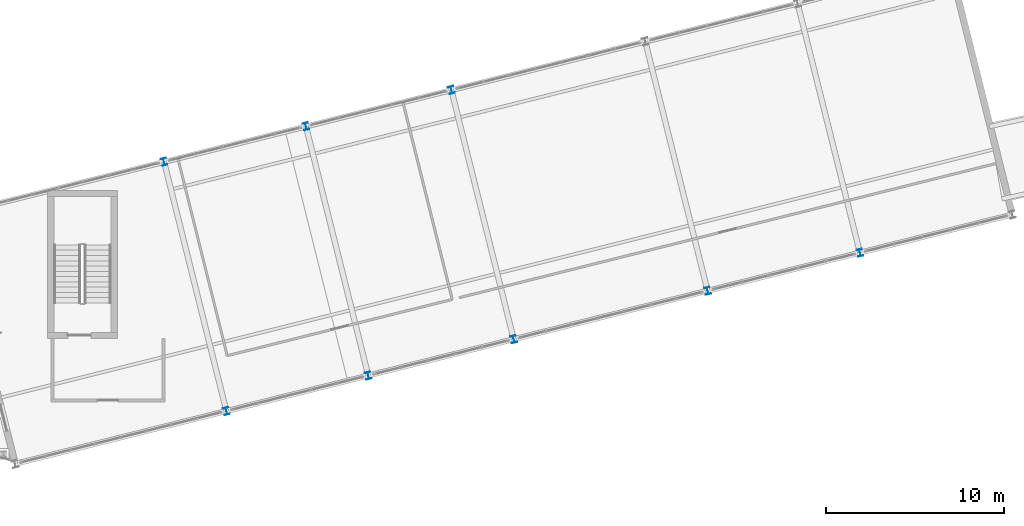
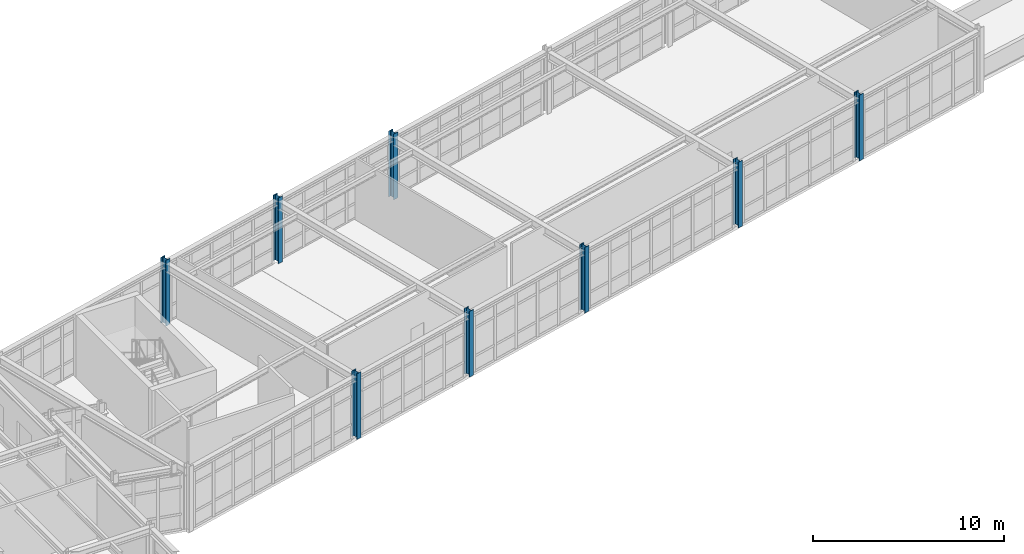
# One storey, part 2 of 76: 8 columns.
"""IFC4 building model written with IfcOpenShell, lengths in metres."""

from ifc_helpers import new_model, si_unit, direction, frame, origin, origin_2d, place, context, subcontext, project, spatial, i_section, extrude, material, material_profile, profile_set, type_object, element, save


model = new_model("IFC4")

# Units and contexts
model_context = context("Model", 3, precision=1e-05, world=origin(), true_north=direction((0.0, 1.0)))
body_context = subcontext(model_context, "Body", "Model", "MODEL_VIEW")
ifc_project = project(units=[si_unit("LENGTHUNIT", "METRE"), si_unit("AREAUNIT", "SQUARE_METRE"), si_unit("VOLUMEUNIT", "CUBIC_METRE"), si_unit("PLANEANGLEUNIT", "RADIAN"), si_unit("MASSUNIT", "GRAM", prefix="KILO")], contexts=[model_context])

# Site, building, storey
site_placement = place(None, origin())
site = spatial("IfcSite", under=ifc_project, at=site_placement, CompositionType="ELEMENT")
building_placement = place(site_placement, origin())
building = spatial("IfcBuilding", under=site, at=building_placement, Name="Nordkorset Police Headquarters", CompositionType="ELEMENT")
storey_placement = place(building_placement, frame((0.0, 0.0, 13.64990234375)))
storey = spatial("IfcBuildingStorey", under=building, at=storey_placement, Name="L03", CompositionType="ELEMENT", Elevation=13.64990234375)

# Columns
ifc_material = material(Name="Steel S355J2", Category="steel")
ifc_material_profile = material_profile(ifc_material, i_section(OverallWidth=0.300048828125, OverallDepth=0.39990234375, WebThickness=0.013427734375, FlangeThickness=0.02392578125, FilletRadius=0.027099609375, at=origin_2d()), Name="HEB 400")
ifc_profile_set = profile_set([ifc_material_profile], Name="Steel S355J2")
column_type = type_object("IfcColumnType", Name="Col_HEB_400", PredefinedType="COLUMN", material=ifc_profile_set)
for number, where, z_axis, x_axis, name in (
    (1, (35.435791015625, 44.958984375, 0.0), (0.0, 0.0, 1.0), (0.970142500145, 0.242535625038, 0.0), "Structural Column V4_U1_V0 L03"),
    (2, (31.943115234375, 58.928955078125, 0.0), (0.0, 0.0, 1.0), (0.970142500145, 0.242535625038, 0.0), "Structural Column V4_U1_V1 L03"),
    (3, (43.390869140625, 46.94775390625, 0.0), (0.0, 0.0, 1.0), (0.970142500145, 0.242535625038, 0.0), "Structural Column V4_U2_V0 L03"),
    (4, (39.8984375, 60.917724609375, 0.0), (0.0, 0.0, 1.0), (0.970142500145, 0.242535625038, 0.0), "Structural Column V4_U2_V1 L03"),
    (5, (51.5400390625, 48.985107421875, 0.0), (0.0, 0.0, 1.0), (0.970142500145, 0.242535625038, 0.0), "Structural Column V4_U3_V0 L03"),
    (6, (48.047607421875, 62.955078125, 0.0), (0.0, 0.0, 1.0), (0.970142500145, 0.242535625038, 0.0), "Structural Column V4_U3_V1 L03"),
    (7, (62.40576171875, 51.701416015625, 0.0), (0.0, 0.0, 1.0), (0.970142500145, 0.242535625038, 0.0), "Structural Column V4_U4_V0 L03"),
    (8, (70.94287109375, 53.835693359375, 0.0), (0.0, 0.0, 1.0), (0.970142500145, 0.242535625038, 0.0), "Structural Column V4_U5_V0 L03"),
):
    element("IfcColumn", number, at=place(storey_placement, frame(where, z_axis=z_axis, x_axis=x_axis)), inside=storey, type_object=column_type, Name=name, PredefinedType="COLUMN", context=body_context, shape_type="SweptSolid", body=[
        extrude(i_section(OverallWidth=0.300048828125, OverallDepth=0.39990234375, WebThickness=0.013427734375, FlangeThickness=0.02392578125, FilletRadius=0.027099609375, at=origin_2d()), origin(), (0.0, 0.0, 1.0), 4.2001953125),
    ])

save(model, "model.ifc")
